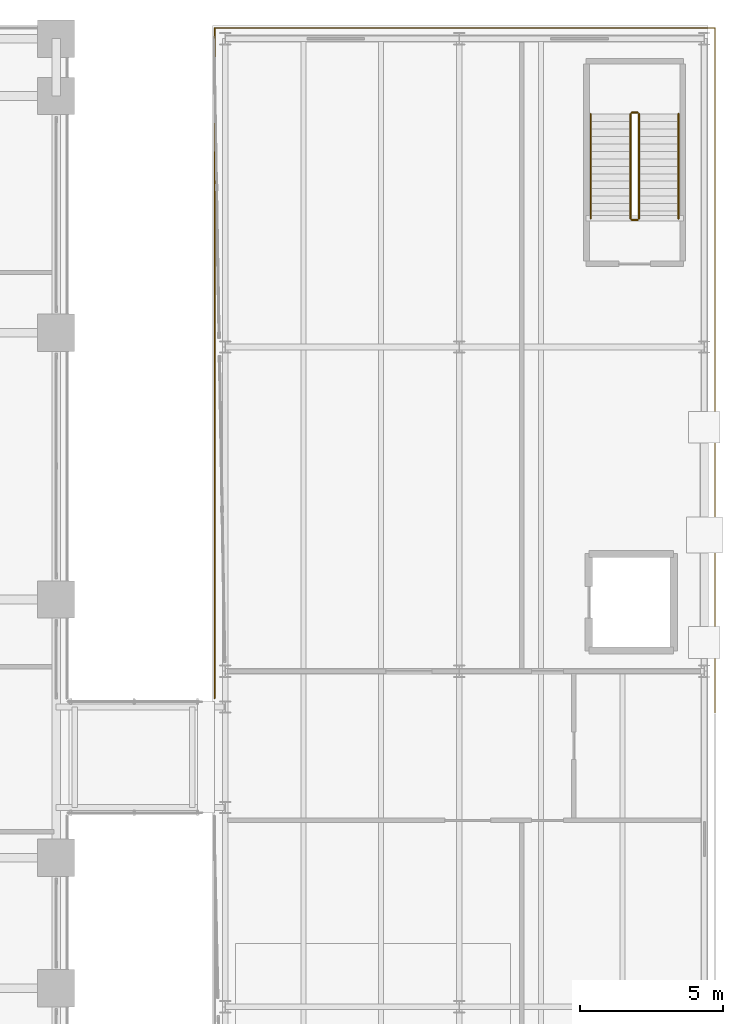
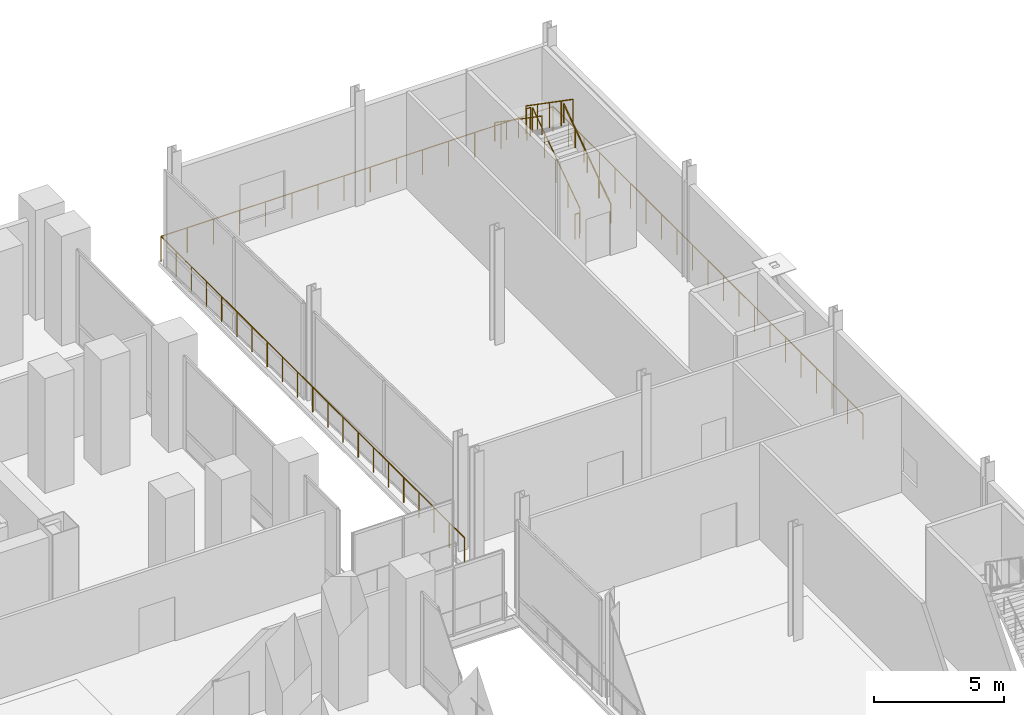
# One storey, part 30 of 30: 7 railings.
"""IFC4 building model written with IfcOpenShell, lengths in metres."""

from ifc_helpers import new_model, si_unit, direction, frame, origin, origin_2d, place, context, subcontext, project, spatial, circle, extrude, material, layer, layer_set, type_object, element, save


model = new_model("IFC4")

# Units and contexts
model_context = context("Model", 3, precision=1e-05, world=origin(), true_north=direction((0.0, 1.0)))
body_context = subcontext(model_context, "Body", "Model", "MODEL_VIEW")
ifc_project = project(units=[si_unit("LENGTHUNIT", "METRE"), si_unit("AREAUNIT", "SQUARE_METRE"), si_unit("VOLUMEUNIT", "CUBIC_METRE"), si_unit("PLANEANGLEUNIT", "RADIAN"), si_unit("MASSUNIT", "GRAM", prefix="KILO")], contexts=[model_context])

# Site, building, storey
site_placement = place(None, origin())
site = spatial("IfcSite", under=ifc_project, at=site_placement, CompositionType="ELEMENT")
building_placement = place(site_placement, origin())
building = spatial("IfcBuilding", under=site, at=building_placement, Name="Noeulbin Bourse Tower", CompositionType="ELEMENT")
storey_placement = place(building_placement, frame((0.0, 0.0, 16.60009765625)))
storey = spatial("IfcBuildingStorey", under=building, at=storey_placement, Name="L04", CompositionType="ELEMENT", Elevation=16.60009765625)

# Railings
ifc_material_1 = material(Name="Painted Tubular Steel S355", Category="steel")
ifc_layer_1 = layer(ifc_material_1, 0.048095703125)
ifc_layer_set_1 = layer_set([ifc_layer_1], Name="Painted Tubular Steel S355")
railing_type_1 = type_object("IfcRailingType", Name="RLG-STR-GRD", PredefinedType="GUARDRAIL", material=ifc_layer_set_1)
railing_1_placement = place(storey_placement, frame((74.8701171875, 42.280029296875, 0.179931640625)))
element("IfcRailing", 1, at=railing_1_placement, inside=storey, type_object=railing_type_1, Name="L04 MST-2 stair guard 1", PredefinedType="GUARDRAIL", context=body_context, shape_type="SweptSolid", body=[
    extrude(circle(Radius=0.02392578125, at=origin_2d()), frame((0.0, 0.0, 1.17578125), z_axis=(0.0, 0.822182265111, 0.569224316888), x_axis=(-1.0, 0.0, 0.0)), (0.0, 0.0, 1.0), 4.427001953125),
    extrude(circle(Radius=0.02099609375, at=origin_2d()), origin(), (0.0, 0.0, 1.0), 1.15185546875),
    extrude(circle(Radius=0.02099609375, at=origin_2d()), frame((0.0, 0.909912109375, 0.6298828125)), (0.0, 0.0, 1.0), 1.15185546875),
    extrude(circle(Radius=0.02099609375, at=origin_2d()), frame((0.0, 1.81982421875, 1.260009765625)), (0.0, 0.0, 1.0), 1.15185546875),
    extrude(circle(Radius=0.02099609375, at=origin_2d()), frame((0.0, 2.72998046875, 1.89013671875)), (0.0, 0.0, 1.0), 1.15185546875),
    extrude(circle(Radius=0.02099609375, at=origin_2d()), frame((0.0, 3.639892578125, 2.52001953125)), (0.0, 0.0, 1.0), 1.15185546875),
])
railing_2_placement = place(storey_placement, frame((74.820068359375, 45.969970703125, 2.699951171875)))
element("IfcRailing", 2, at=railing_2_placement, inside=storey, type_object=railing_type_1, Name="L04 MST-2 stair guard 2", PredefinedType="GUARDRAIL", context=body_context, shape_type="SweptSolid", body=[
    extrude(circle(Radius=0.02392578125, at=origin_2d()), frame((0.0, 0.0, 1.17578125), z_axis=(-1.0, 0.0, 0.0), x_axis=(0.0, -1.0, 0.0)), (0.0, 0.0, 1.0), 0.199951171875),
    extrude(circle(Radius=0.02099609375, at=origin_2d()), origin(), (0.0, 0.0, 1.0), 1.15185546875),
    extrude(circle(Radius=0.02099609375, at=origin_2d()), frame((-0.199951171875, 0.0, 0.0)), (0.0, 0.0, 1.0), 1.15185546875),
])
railing_3_placement = place(storey_placement, frame((74.570068359375, 45.919921875, 2.8798828125)))
element("IfcRailing", 3, at=railing_3_placement, inside=storey, type_object=railing_type_1, Name="L04 MST-2 stair guard 3", PredefinedType="GUARDRAIL", context=body_context, shape_type="SweptSolid", body=[
    extrude(circle(Radius=0.02392578125, at=origin_2d()), frame((0.0, 0.0, 1.17578125), z_axis=(0.0, -0.822182265111, 0.569224316888), x_axis=(1.0, 0.0, 0.0)), (0.0, 0.0, 1.0), 4.427001953125),
    extrude(circle(Radius=0.02099609375, at=origin_2d()), origin(), (0.0, 0.0, 1.0), 1.15185546875),
    extrude(circle(Radius=0.02099609375, at=origin_2d()), frame((0.0, -0.909912109375, 0.6298828125)), (0.0, 0.0, 1.0), 1.15185546875),
    extrude(circle(Radius=0.02099609375, at=origin_2d()), frame((0.0, -1.81982421875, 1.260009765625)), (0.0, 0.0, 1.0), 1.15185546875),
    extrude(circle(Radius=0.02099609375, at=origin_2d()), frame((0.0, -2.72998046875, 1.89013671875)), (0.0, 0.0, 1.0), 1.15185546875),
    extrude(circle(Radius=0.02099609375, at=origin_2d()), frame((0.0, -3.639892578125, 2.52001953125)), (0.0, 0.0, 1.0), 1.15185546875),
])
railing_4_placement = place(storey_placement, frame((74.820068359375, 42.22998046875, 0.0)))
element("IfcRailing", 4, at=railing_4_placement, inside=storey, type_object=railing_type_1, Name="L04 MST-2 stair guard 4", PredefinedType="GUARDRAIL", context=body_context, shape_type="SweptSolid", body=[
    extrude(circle(Radius=0.02392578125, at=origin_2d()), frame((0.0, 0.0, 1.17578125), z_axis=(-1.0, 0.0, 0.0), x_axis=(0.0, -1.0, 0.0)), (0.0, 0.0, 1.0), 0.199951171875),
    extrude(circle(Radius=0.02099609375, at=origin_2d()), origin(), (0.0, 0.0, 1.0), 1.15185546875),
    extrude(circle(Radius=0.02099609375, at=origin_2d()), frame((-0.199951171875, 0.0, 0.0)), (0.0, 0.0, 1.0), 1.15185546875),
])
ifc_material_2 = material(Name="Brushed Stainless Steel 316", Category="steel")
ifc_layer_2 = layer(ifc_material_2, 0.048095703125)
ifc_layer_set_2 = layer_set([ifc_layer_2], Name="Brushed Stainless Steel 316")
railing_type_2 = type_object("IfcRailingType", Name="RLG-STR-HND", PredefinedType="HANDRAIL", material=ifc_layer_set_2)
railing_5_placement = place(storey_placement, frame((76.25, 42.280029296875, 0.179931640625)))
element("IfcRailing", 5, at=railing_5_placement, inside=storey, type_object=railing_type_2, Name="L04 MST-2 stair handrail 1", PredefinedType="HANDRAIL", context=body_context, shape_type="SweptSolid", body=[
    extrude(circle(Radius=0.02392578125, at=origin_2d()), frame((0.0, 0.0, 0.8759765625), z_axis=(0.0, 0.822182265111, 0.569224316888), x_axis=(-1.0, 0.0, 0.0)), (0.0, 0.0, 1.0), 4.427001953125),
    extrude(circle(Radius=0.02099609375, at=origin_2d()), origin(), (0.0, 0.0, 1.0), 0.851806640625),
    extrude(circle(Radius=0.02099609375, at=origin_2d()), frame((0.0, 0.909912109375, 0.6298828125)), (0.0, 0.0, 1.0), 0.851806640625),
    extrude(circle(Radius=0.02099609375, at=origin_2d()), frame((0.0, 1.81982421875, 1.260009765625)), (0.0, 0.0, 1.0), 0.851806640625),
    extrude(circle(Radius=0.02099609375, at=origin_2d()), frame((0.0, 2.72998046875, 1.89013671875)), (0.0, 0.0, 1.0), 0.851806640625),
    extrude(circle(Radius=0.02099609375, at=origin_2d()), frame((0.0, 3.639892578125, 2.52001953125)), (0.0, 0.0, 1.0), 0.851806640625),
])
railing_6_placement = place(storey_placement, frame((73.18994140625, 45.919921875, 2.8798828125)))
element("IfcRailing", 6, at=railing_6_placement, inside=storey, type_object=railing_type_2, Name="L04 MST-2 stair handrail 2", PredefinedType="HANDRAIL", context=body_context, shape_type="SweptSolid", body=[
    extrude(circle(Radius=0.02392578125, at=origin_2d()), frame((0.0, 0.0, 0.8759765625), z_axis=(0.0, -0.822182265111, 0.569224316888), x_axis=(1.0, 0.0, 0.0)), (0.0, 0.0, 1.0), 4.427001953125),
    extrude(circle(Radius=0.02099609375, at=origin_2d()), origin(), (0.0, 0.0, 1.0), 0.851806640625),
    extrude(circle(Radius=0.02099609375, at=origin_2d()), frame((0.0, -0.909912109375, 0.6298828125)), (0.0, 0.0, 1.0), 0.851806640625),
    extrude(circle(Radius=0.02099609375, at=origin_2d()), frame((0.0, -1.81982421875, 1.260009765625)), (0.0, 0.0, 1.0), 0.851806640625),
    extrude(circle(Radius=0.02099609375, at=origin_2d()), frame((0.0, -2.72998046875, 1.89013671875)), (0.0, 0.0, 1.0), 0.851806640625),
    extrude(circle(Radius=0.02099609375, at=origin_2d()), frame((0.0, -3.639892578125, 2.52001953125)), (0.0, 0.0, 1.0), 0.851806640625),
])
ifc_material_3 = material(Name="Stainless Steel 316 Post and Rail", Category="steel")
ifc_layer_3 = layer(ifc_material_3, 0.06005859375)
ifc_layer_set_3 = layer_set([ifc_layer_3], Name="Stainless Steel 316 Post and Rail")
railing_type_3 = type_object("IfcRailingType", Name="RLG-TER-1200", PredefinedType="GUARDRAIL", material=ifc_layer_set_3)
railing_7_placement = place(storey_placement, frame((77.52001953125, 25.06005859375, 0.0)))
element("IfcRailing", 7, at=railing_7_placement, inside=storey, type_object=railing_type_3, Name="Market Perimeter Edge Guard L04-2", PredefinedType="GUARDRAIL", context=body_context, shape_type="SweptSolid", body=[
    extrude(circle(Radius=0.02392578125, at=origin_2d()), frame((0.0, 0.0, 1.17578125), z_axis=(0.0, 1.0, 0.0), x_axis=(-1.0, 0.0, 0.0)), (0.0, 0.0, 1.0), 23.85986328125),
    extrude(circle(Radius=0.02392578125, at=origin_2d()), frame((0.0, 23.85986328125, 1.17578125), z_axis=(-1.0, 0.0, 0.0), x_axis=(0.0, -1.0, 0.0)), (0.0, 0.0, 1.0), 17.43994140625),
    extrude(circle(Radius=0.02392578125, at=origin_2d()), frame((-17.43994140625, 23.85986328125, 1.17578125), z_axis=(0.0, -1.0, 0.0), x_axis=(1.0, 0.0, 0.0)), (0.0, 0.0, 1.0), 23.369873046875),
    extrude(circle(Radius=0.02099609375, at=origin_2d()), origin(), (0.0, 0.0, 1.0), 1.15185546875),
    extrude(circle(Radius=0.02099609375, at=origin_2d()), frame((0.0, 1.19287109375, 0.0)), (0.0, 0.0, 1.0), 1.15185546875),
    extrude(circle(Radius=0.02099609375, at=origin_2d()), frame((0.0, 2.385986328125, 0.0)), (0.0, 0.0, 1.0), 1.15185546875),
    extrude(circle(Radius=0.02099609375, at=origin_2d()), frame((0.0, 3.5791015625, 0.0)), (0.0, 0.0, 1.0), 1.15185546875),
    extrude(circle(Radius=0.02099609375, at=origin_2d()), frame((0.0, 4.77197265625, 0.0)), (0.0, 0.0, 1.0), 1.15185546875),
    extrude(circle(Radius=0.02099609375, at=origin_2d()), frame((0.0, 5.96484375, 0.0)), (0.0, 0.0, 1.0), 1.15185546875),
    extrude(circle(Radius=0.02099609375, at=origin_2d()), frame((0.0, 7.157958984375, 0.0)), (0.0, 0.0, 1.0), 1.15185546875),
    extrude(circle(Radius=0.02099609375, at=origin_2d()), frame((0.0, 8.35107421875, 0.0)), (0.0, 0.0, 1.0), 1.15185546875),
    extrude(circle(Radius=0.02099609375, at=origin_2d()), frame((0.0, 9.5439453125, 0.0)), (0.0, 0.0, 1.0), 1.15185546875),
    extrude(circle(Radius=0.02099609375, at=origin_2d()), frame((0.0, 10.73681640625, 0.0)), (0.0, 0.0, 1.0), 1.15185546875),
    extrude(circle(Radius=0.02099609375, at=origin_2d()), frame((0.0, 11.929931640625, 0.0)), (0.0, 0.0, 1.0), 1.15185546875),
    extrude(circle(Radius=0.02099609375, at=origin_2d()), frame((0.0, 13.123046875, 0.0)), (0.0, 0.0, 1.0), 1.15185546875),
    extrude(circle(Radius=0.02099609375, at=origin_2d()), frame((0.0, 14.31591796875, 0.0)), (0.0, 0.0, 1.0), 1.15185546875),
    extrude(circle(Radius=0.02099609375, at=origin_2d()), frame((0.0, 15.5087890625, 0.0)), (0.0, 0.0, 1.0), 1.15185546875),
    extrude(circle(Radius=0.02099609375, at=origin_2d()), frame((0.0, 16.701904296875, 0.0)), (0.0, 0.0, 1.0), 1.15185546875),
    extrude(circle(Radius=0.02099609375, at=origin_2d()), frame((0.0, 17.89501953125, 0.0)), (0.0, 0.0, 1.0), 1.15185546875),
    extrude(circle(Radius=0.02099609375, at=origin_2d()), frame((0.0, 19.087890625, 0.0)), (0.0, 0.0, 1.0), 1.15185546875),
    extrude(circle(Radius=0.02099609375, at=origin_2d()), frame((0.0, 20.28076171875, 0.0)), (0.0, 0.0, 1.0), 1.15185546875),
    extrude(circle(Radius=0.02099609375, at=origin_2d()), frame((0.0, 21.473876953125, 0.0)), (0.0, 0.0, 1.0), 1.15185546875),
    extrude(circle(Radius=0.02099609375, at=origin_2d()), frame((0.0, 22.6669921875, 0.0)), (0.0, 0.0, 1.0), 1.15185546875),
    extrude(circle(Radius=0.02099609375, at=origin_2d()), frame((0.0, 23.85986328125, 0.0)), (0.0, 0.0, 1.0), 1.15185546875),
    extrude(circle(Radius=0.02099609375, at=origin_2d()), frame((-1.16259765625, 23.85986328125, 0.0)), (0.0, 0.0, 1.0), 1.15185546875),
    extrude(circle(Radius=0.02099609375, at=origin_2d()), frame((-2.325439453125, 23.85986328125, 0.0)), (0.0, 0.0, 1.0), 1.15185546875),
    extrude(circle(Radius=0.02099609375, at=origin_2d()), frame((-3.488037109375, 23.85986328125, 0.0)), (0.0, 0.0, 1.0), 1.15185546875),
    extrude(circle(Radius=0.02099609375, at=origin_2d()), frame((-4.650634765625, 23.85986328125, 0.0)), (0.0, 0.0, 1.0), 1.15185546875),
    extrude(circle(Radius=0.02099609375, at=origin_2d()), frame((-5.813232421875, 23.85986328125, 0.0)), (0.0, 0.0, 1.0), 1.15185546875),
    extrude(circle(Radius=0.02099609375, at=origin_2d()), frame((-6.97607421875, 23.85986328125, 0.0)), (0.0, 0.0, 1.0), 1.15185546875),
    extrude(circle(Radius=0.02099609375, at=origin_2d()), frame((-8.138671875, 23.85986328125, 0.0)), (0.0, 0.0, 1.0), 1.15185546875),
    extrude(circle(Radius=0.02099609375, at=origin_2d()), frame((-9.30126953125, 23.85986328125, 0.0)), (0.0, 0.0, 1.0), 1.15185546875),
    extrude(circle(Radius=0.02099609375, at=origin_2d()), frame((-10.4638671875, 23.85986328125, 0.0)), (0.0, 0.0, 1.0), 1.15185546875),
    extrude(circle(Radius=0.02099609375, at=origin_2d()), frame((-11.626708984375, 23.85986328125, 0.0)), (0.0, 0.0, 1.0), 1.15185546875),
    extrude(circle(Radius=0.02099609375, at=origin_2d()), frame((-12.789306640625, 23.85986328125, 0.0)), (0.0, 0.0, 1.0), 1.15185546875),
    extrude(circle(Radius=0.02099609375, at=origin_2d()), frame((-13.951904296875, 23.85986328125, 0.0)), (0.0, 0.0, 1.0), 1.15185546875),
    extrude(circle(Radius=0.02099609375, at=origin_2d()), frame((-15.114501953125, 23.85986328125, 0.0)), (0.0, 0.0, 1.0), 1.15185546875),
    extrude(circle(Radius=0.02099609375, at=origin_2d()), frame((-16.27734375, 23.85986328125, 0.0)), (0.0, 0.0, 1.0), 1.15185546875),
    extrude(circle(Radius=0.02099609375, at=origin_2d()), frame((-17.43994140625, 23.85986328125, 0.0)), (0.0, 0.0, 1.0), 1.15185546875),
    extrude(circle(Radius=0.02099609375, at=origin_2d()), frame((-17.43994140625, 22.69140625, 0.0)), (0.0, 0.0, 1.0), 1.15185546875),
    extrude(circle(Radius=0.02099609375, at=origin_2d()), frame((-17.43994140625, 21.52294921875, 0.0)), (0.0, 0.0, 1.0), 1.15185546875),
    extrude(circle(Radius=0.02099609375, at=origin_2d()), frame((-17.43994140625, 20.3544921875, 0.0)), (0.0, 0.0, 1.0), 1.15185546875),
    extrude(circle(Radius=0.02099609375, at=origin_2d()), frame((-17.43994140625, 19.185791015625, 0.0)), (0.0, 0.0, 1.0), 1.15185546875),
    extrude(circle(Radius=0.02099609375, at=origin_2d()), frame((-17.43994140625, 18.017333984375, 0.0)), (0.0, 0.0, 1.0), 1.15185546875),
    extrude(circle(Radius=0.02099609375, at=origin_2d()), frame((-17.43994140625, 16.848876953125, 0.0)), (0.0, 0.0, 1.0), 1.15185546875),
    extrude(circle(Radius=0.02099609375, at=origin_2d()), frame((-17.43994140625, 15.680419921875, 0.0)), (0.0, 0.0, 1.0), 1.15185546875),
    extrude(circle(Radius=0.02099609375, at=origin_2d()), frame((-17.43994140625, 14.511962890625, 0.0)), (0.0, 0.0, 1.0), 1.15185546875),
    extrude(circle(Radius=0.02099609375, at=origin_2d()), frame((-17.43994140625, 13.343505859375, 0.0)), (0.0, 0.0, 1.0), 1.15185546875),
    extrude(circle(Radius=0.02099609375, at=origin_2d()), frame((-17.43994140625, 12.1748046875, 0.0)), (0.0, 0.0, 1.0), 1.15185546875),
    extrude(circle(Radius=0.02099609375, at=origin_2d()), frame((-17.43994140625, 11.00634765625, 0.0)), (0.0, 0.0, 1.0), 1.15185546875),
    extrude(circle(Radius=0.02099609375, at=origin_2d()), frame((-17.43994140625, 9.837890625, 0.0)), (0.0, 0.0, 1.0), 1.15185546875),
    extrude(circle(Radius=0.02099609375, at=origin_2d()), frame((-17.43994140625, 8.66943359375, 0.0)), (0.0, 0.0, 1.0), 1.15185546875),
    extrude(circle(Radius=0.02099609375, at=origin_2d()), frame((-17.43994140625, 7.5009765625, 0.0)), (0.0, 0.0, 1.0), 1.15185546875),
    extrude(circle(Radius=0.02099609375, at=origin_2d()), frame((-17.43994140625, 6.33251953125, 0.0)), (0.0, 0.0, 1.0), 1.15185546875),
    extrude(circle(Radius=0.02099609375, at=origin_2d()), frame((-17.43994140625, 5.1640625, 0.0)), (0.0, 0.0, 1.0), 1.15185546875),
    extrude(circle(Radius=0.02099609375, at=origin_2d()), frame((-17.43994140625, 3.995361328125, 0.0)), (0.0, 0.0, 1.0), 1.15185546875),
    extrude(circle(Radius=0.02099609375, at=origin_2d()), frame((-17.43994140625, 2.826904296875, 0.0)), (0.0, 0.0, 1.0), 1.15185546875),
    extrude(circle(Radius=0.02099609375, at=origin_2d()), frame((-17.43994140625, 1.658447265625, 0.0)), (0.0, 0.0, 1.0), 1.15185546875),
    extrude(circle(Radius=0.02099609375, at=origin_2d()), frame((-17.43994140625, 0.489990234375, 0.0)), (0.0, 0.0, 1.0), 1.15185546875),
])

save(model, "model.ifc")
